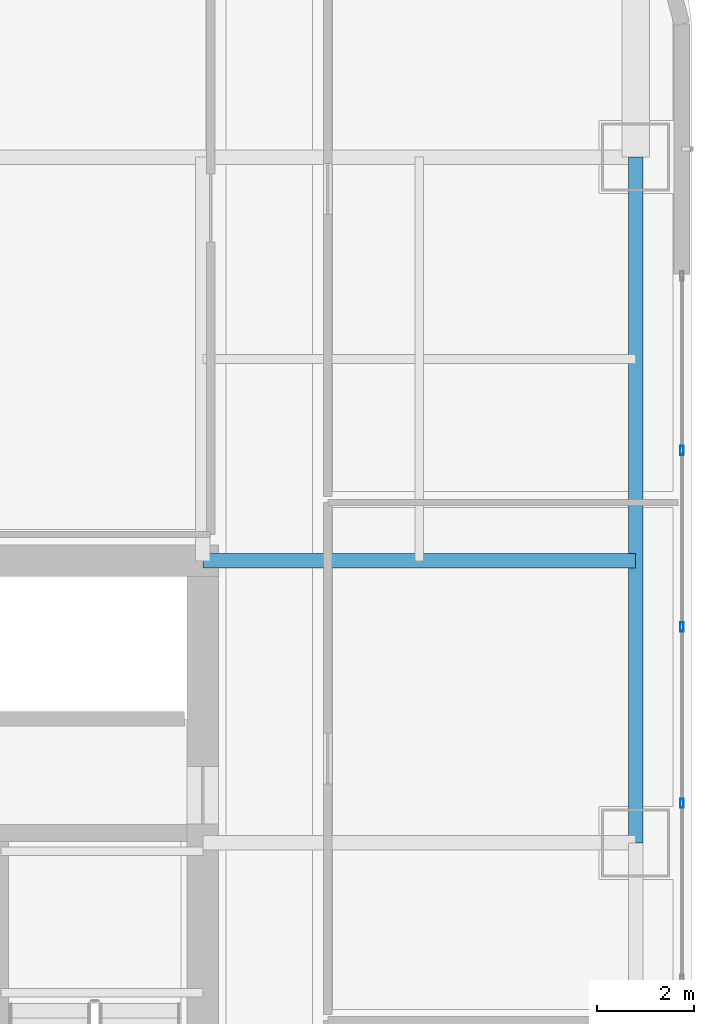
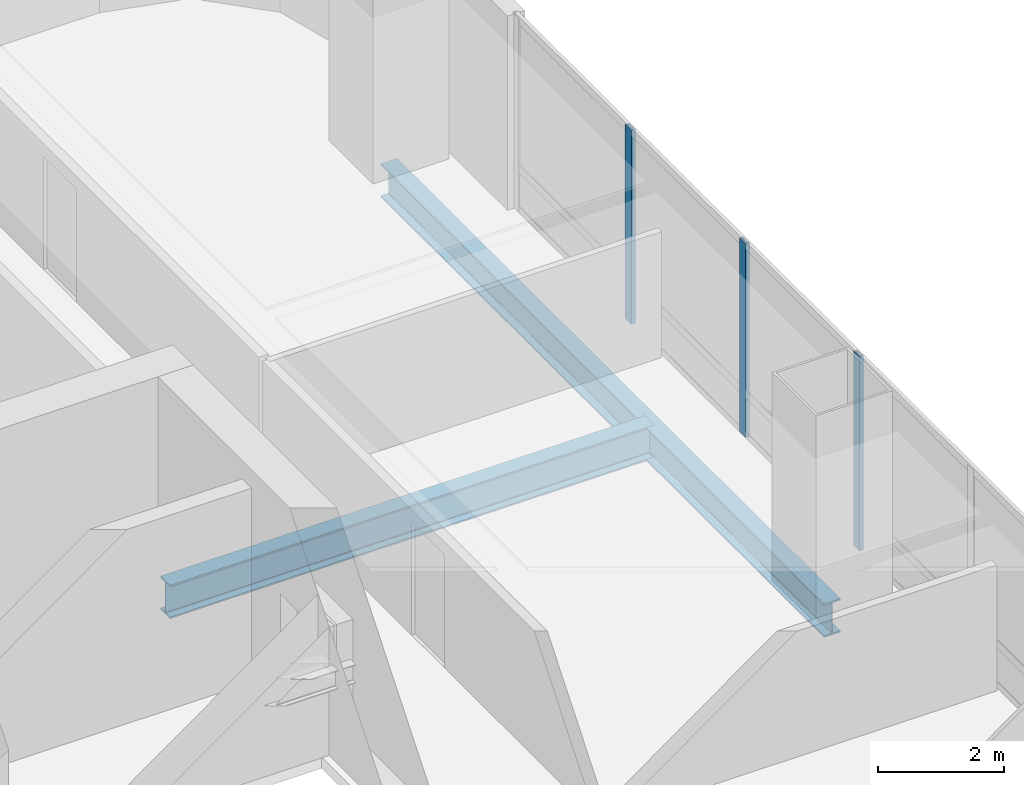
# One storey, part 19 of 47: 3 members, 2 beams, 1 element without a shape of its own.
"""IFC4 building model written with IfcOpenShell, lengths in metres."""

from ifc_helpers import new_model, si_unit, direction, frame, origin, origin_2d, place, context, subcontext, project, spatial, hollow_rectangle, i_section, extrude, material, material_profile, profile_set, type_object, element, aggregate, save


model = new_model("IFC4")

# Units and contexts
model_context = context("Model", 3, precision=1e-05, world=origin(), true_north=direction((0.0, 1.0)))
body_context = subcontext(model_context, "Body", "Model", "MODEL_VIEW")
ifc_project = project(units=[si_unit("LENGTHUNIT", "METRE"), si_unit("AREAUNIT", "SQUARE_METRE"), si_unit("VOLUMEUNIT", "CUBIC_METRE"), si_unit("PLANEANGLEUNIT", "RADIAN"), si_unit("MASSUNIT", "GRAM", prefix="KILO")], contexts=[model_context])

# Site, building, storey
site_placement = place(None, origin())
site = spatial("IfcSite", under=ifc_project, at=site_placement, CompositionType="ELEMENT")
building_placement = place(site_placement, origin())
building = spatial("IfcBuilding", under=site, at=building_placement, Name="Punatoya Terracotta Tower", CompositionType="ELEMENT")
storey_placement = place(building_placement, frame((0.0, 0.0, 168.14990234375)))
storey = spatial("IfcBuildingStorey", under=building, at=storey_placement, Name="L39", CompositionType="ELEMENT", Elevation=168.14990234375)

# Beams
ifc_material_1 = material(Name="Steel S355", Category="steel")
ifc_material_profile_1 = material_profile(ifc_material_1, i_section(OverallWidth=0.300048828125, OverallDepth=0.64990234375, WebThickness=0.01611328125, FlangeThickness=0.031005859375, FilletRadius=0.01806640625, at=origin_2d()))
ifc_profile_set_1 = profile_set([ifc_material_profile_1], Name="Steel S355")
beam_type = type_object("IfcBeamType", Name="BM-PRI-650", PredefinedType="BEAM", material=ifc_profile_set_1)
beam_1_placement = place(storey_placement, frame((19.10009765625, 3.39990234375, -0.544921875), z_axis=(0.0, 1.0, 0.0), x_axis=(-1.0, 0.0, 0.0)))
element("IfcBeam", 1, at=beam_1_placement, inside=storey, type_object=beam_type, Name="BM-L39-RG-E3", PredefinedType="BEAM", context=body_context, shape_type="SweptSolid", body=[
    extrude(i_section(OverallWidth=0.300048828125, OverallDepth=0.64990234375, WebThickness=0.01611328125, FlangeThickness=0.031005859375, FilletRadius=0.01806640625, at=origin_2d()), origin(), (0.0, 0.0, 1.0), 14.10009765625),
])
beam_2_placement = place(storey_placement, frame((10.199951171875, 9.199951171875, -0.544921875), z_axis=(1.0, 0.0, 0.0), x_axis=(0.0, 1.0, 0.0)))
element("IfcBeam", 2, at=beam_2_placement, inside=storey, type_object=beam_type, Name="BM-L39-PR-EN", PredefinedType="BEAM", context=body_context, shape_type="SweptSolid", body=[
    extrude(i_section(OverallWidth=0.300048828125, OverallDepth=0.64990234375, WebThickness=0.01611328125, FlangeThickness=0.031005859375, FilletRadius=0.01806640625, at=origin_2d()), origin(), (0.0, 0.0, 1.0), 8.900146484375),
])

# Curtain wall, members
ifc_material_2 = material(Name="Aluminium 6063-T6 + Double Low-E Glass", Category="aluminium")
curtain_wall_type = type_object("IfcCurtainWallType", Name="CW-M2", PredefinedType="NOTDEFINED", material=ifc_material_2)
curtain_wall_placement = place(storey_placement, origin())
curtain_wall = element("IfcCurtainWall", 3, at=curtain_wall_placement, inside=storey, type_object=curtain_wall_type, Name="L39 Curtain Wall CW-L39-E05-1", PredefinedType="NOTDEFINED")
ifc_material_3 = material(Name="Aluminium 6063-T6", Category="aluminium")
ifc_material_profile_2 = material_profile(ifc_material_3, hollow_rectangle(XDim=0.072021484375, YDim=0.195068359375, WallThickness=0.00439453125, at=origin_2d()))
ifc_profile_set_2 = profile_set([ifc_material_profile_2], Name="Aluminium 6063-T6")
member_type = type_object("IfcMemberType", Name="CW-MUL-M2", PredefinedType="MULLION", material=ifc_profile_set_2)
member_1_placement = place(storey_placement, frame((20.050048828125, 4.21435546875, 0.0), z_axis=(0.0, 0.0, 1.0), x_axis=(1.0, 0.0, 0.0)))
member_1 = element("IfcMember", 4, at=member_1_placement, type_object=member_type, Name="CW-L39-E05-1 Mullion 04", PredefinedType="MULLION", context=body_context, shape_type="SweptSolid", body=[
    extrude(hollow_rectangle(XDim=0.072021484375, YDim=0.195068359375, WallThickness=0.00439453125, at=origin_2d()), origin(), (0.0, 0.0, 1.0), 3.77001953125),
])
member_2_placement = place(storey_placement, frame((20.050048828125, 7.843017578125, 0.0), z_axis=(0.0, 0.0, 1.0), x_axis=(1.0, 0.0, 0.0)))
member_2 = element("IfcMember", 5, at=member_2_placement, type_object=member_type, Name="CW-L39-E05-1 Mullion 05", PredefinedType="MULLION", context=body_context, shape_type="SweptSolid", body=[
    extrude(hollow_rectangle(XDim=0.072021484375, YDim=0.195068359375, WallThickness=0.00439453125, at=origin_2d()), origin(), (0.0, 0.0, 1.0), 3.77001953125),
])
member_3_placement = place(storey_placement, frame((20.050048828125, 11.471435546875, 0.0), z_axis=(0.0, 0.0, 1.0), x_axis=(1.0, 0.0, 0.0)))
member_3 = element("IfcMember", 6, at=member_3_placement, type_object=member_type, Name="CW-L39-E05-1 Mullion 06", PredefinedType="MULLION", context=body_context, shape_type="SweptSolid", body=[
    extrude(hollow_rectangle(XDim=0.072021484375, YDim=0.195068359375, WallThickness=0.00439453125, at=origin_2d()), origin(), (0.0, 0.0, 1.0), 3.77001953125),
])
aggregate(curtain_wall, [member_1, member_2, member_3])

save(model, "model.ifc")
